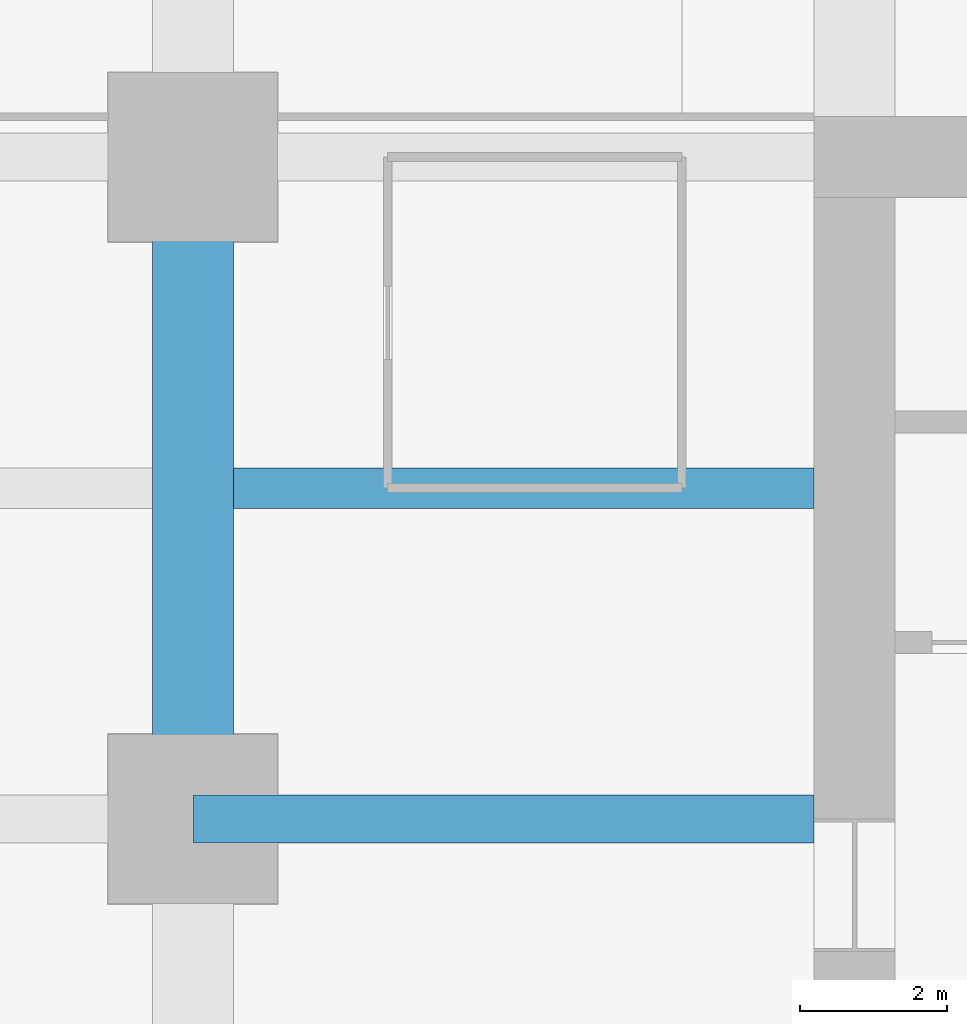
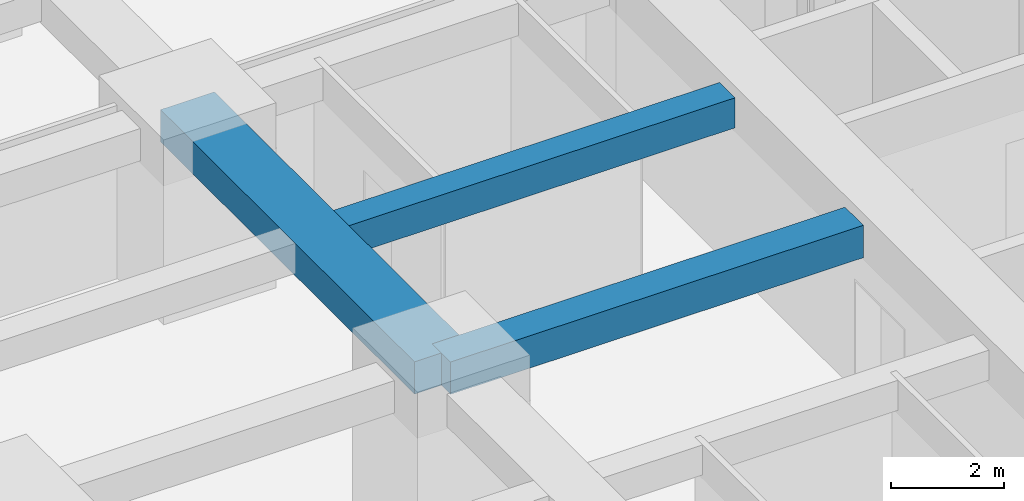
# One storey, part 12 of 44: 3 beams.
"""IFC4 building model written with IfcOpenShell, lengths in metres."""

from ifc_helpers import new_model, si_unit, direction, frame, origin, origin_2d, place, context, subcontext, project, spatial, rectangle, extrude, material, material_profile, profile_set, type_object, element, save


model = new_model("IFC4")

# Units and contexts
model_context = context("Model", 3, precision=1e-05, world=origin(), true_north=direction((0.0, 1.0)))
body_context = subcontext(model_context, "Body", "Model", "MODEL_VIEW")
ifc_project = project(units=[si_unit("LENGTHUNIT", "METRE"), si_unit("AREAUNIT", "SQUARE_METRE"), si_unit("VOLUMEUNIT", "CUBIC_METRE"), si_unit("PLANEANGLEUNIT", "RADIAN"), si_unit("MASSUNIT", "GRAM", prefix="KILO")], contexts=[model_context])

# Site, building, storey
site_placement = place(None, origin())
site = spatial("IfcSite", under=ifc_project, at=site_placement, CompositionType="ELEMENT")
building_placement = place(site_placement, origin())
building = spatial("IfcBuilding", under=site, at=building_placement, Name="Zorevar Civic Tower", CompositionType="ELEMENT")
storey_placement = place(building_placement, frame((0.0, 0.0, 43.800048828125)))
storey = spatial("IfcBuildingStorey", under=building, at=storey_placement, Name="L10", CompositionType="ELEMENT", Elevation=43.800048828125)

# Beams
ifc_material_1 = material(Name="Concrete C50/60", Category="concrete")
ifc_material_profile_1 = material_profile(ifc_material_1, rectangle(XDim=1.10009765625, YDim=0.699951171875, at=origin_2d()), Name="RC 1100x700")
ifc_profile_set_1 = profile_set([ifc_material_profile_1], Name="Concrete C50/60")
beam_type_1 = type_object("IfcBeamType", Name="Beam RC 1100x700", PredefinedType="BEAM", material=ifc_profile_set_1)
beam_1_placement = place(storey_placement, frame((9.0, 27.0, 3.39990234375), z_axis=(0.0, 1.0, 0.0), x_axis=(-1.0, 0.0, 0.0)))
element("IfcBeam", 1, at=beam_1_placement, inside=storey, type_object=beam_type_1, Name="Girder L11", PredefinedType="BEAM", context=body_context, shape_type="SweptSolid", body=[
    extrude(rectangle(XDim=1.10009765625, YDim=0.699951171875, at=origin_2d()), origin(), (0.0, 0.0, 1.0), 9.0),
])
ifc_material_2 = material(Name="Concrete C50/60", Category="concrete")
ifc_material_profile_2 = material_profile(ifc_material_2, rectangle(XDim=0.550048828125, YDim=0.64990234375, at=origin_2d()), Name="RC 550x650")
ifc_profile_set_2 = profile_set([ifc_material_profile_2], Name="Concrete C50/60")
beam_type_2 = type_object("IfcBeamType", Name="Beam RC 550x650", PredefinedType="BEAM", material=ifc_profile_set_2)
beam_2_placement = place(storey_placement, frame((9.550048828125, 31.5, 3.425048828125), z_axis=(1.0, 0.0, 0.0), x_axis=(0.0, 1.0, 0.0)))
element("IfcBeam", 2, at=beam_2_placement, inside=storey, type_object=beam_type_2, Name="Secondary beam L11", PredefinedType="BEAM", context=body_context, shape_type="SweptSolid", body=[
    extrude(rectangle(XDim=0.550048828125, YDim=0.64990234375, at=origin_2d()), origin(), (0.0, 0.0, 1.0), 7.89990234375),
])
ifc_material_3 = material(Name="Concrete C50/60", Category="concrete")
ifc_material_profile_3 = material_profile(ifc_material_3, rectangle(XDim=0.64990234375, YDim=0.699951171875, at=origin_2d()), Name="RC 650x700")
ifc_profile_set_3 = profile_set([ifc_material_profile_3], Name="Concrete C50/60")
beam_type_3 = type_object("IfcBeamType", Name="Beam RC 650x700", PredefinedType="BEAM", material=ifc_profile_set_3)
beam_3_placement = place(storey_placement, frame((9.0, 27.0, 3.39990234375), z_axis=(1.0, 0.0, 0.0), x_axis=(0.0, 1.0, 0.0)))
element("IfcBeam", 3, at=beam_3_placement, inside=storey, type_object=beam_type_3, Name="Girder L11", PredefinedType="BEAM", context=body_context, shape_type="SweptSolid", body=[
    extrude(rectangle(XDim=0.64990234375, YDim=0.699951171875, at=origin_2d()), origin(), (0.0, 0.0, 1.0), 8.449951171875),
])

save(model, "model.ifc")
